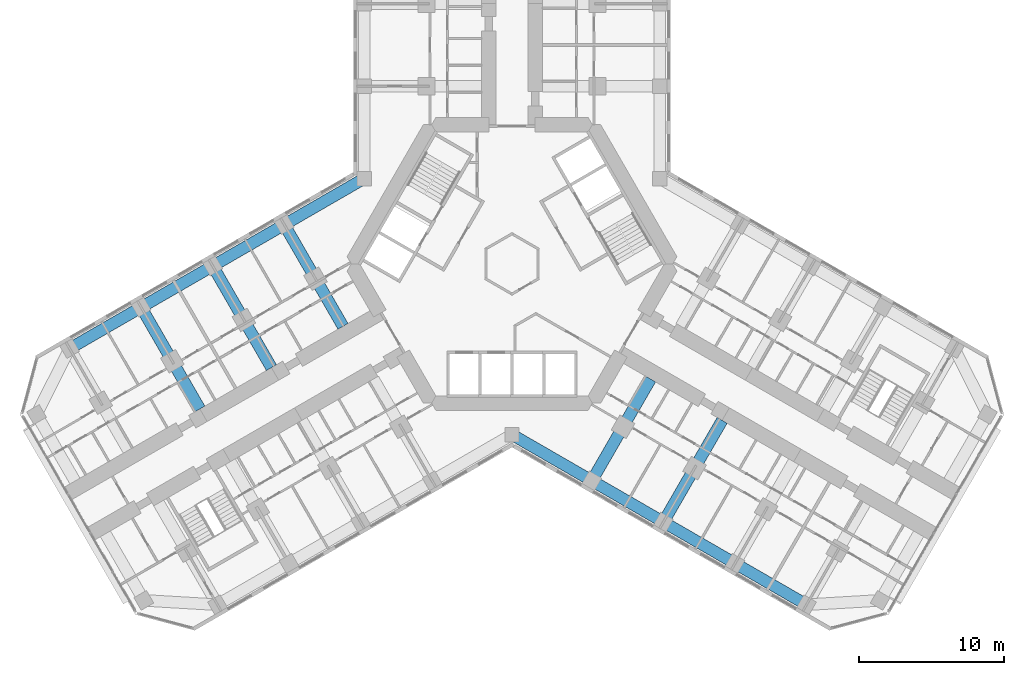
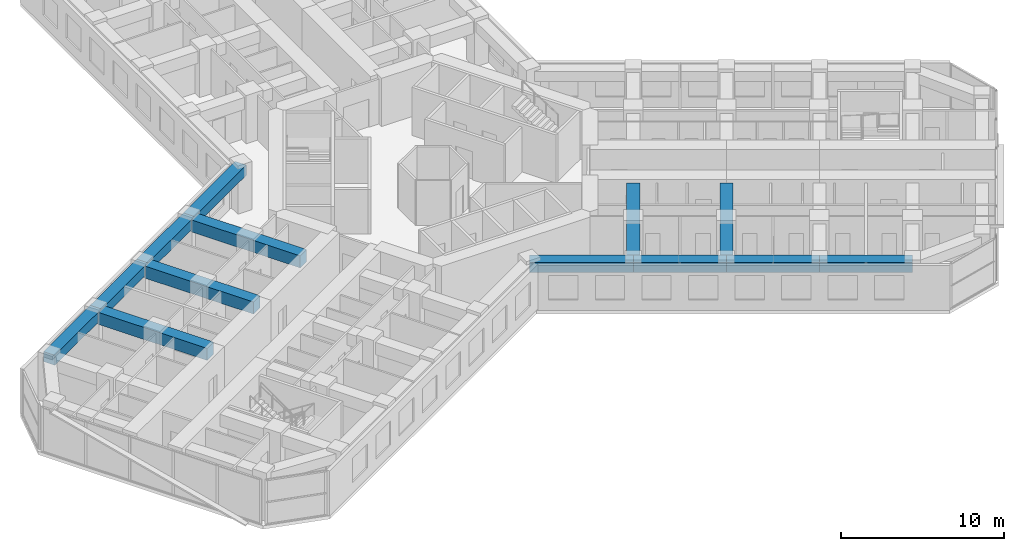
# One storey, part 4 of 21: 13 beams.
"""IFC4 building model written with IfcOpenShell, lengths in metres."""

from ifc_helpers import new_model, si_unit, direction, frame, origin, origin_2d, place, context, subcontext, project, spatial, rectangle, extrude, material, material_profile, profile_set, type_object, element, save


model = new_model("IFC4")

# Units and contexts
model_context = context("Model", 3, precision=1e-05, world=origin(), true_north=direction((0.0, 1.0)))
body_context = subcontext(model_context, "Body", "Model", "MODEL_VIEW")
ifc_project = project(units=[si_unit("LENGTHUNIT", "METRE"), si_unit("AREAUNIT", "SQUARE_METRE"), si_unit("VOLUMEUNIT", "CUBIC_METRE"), si_unit("PLANEANGLEUNIT", "RADIAN"), si_unit("MASSUNIT", "GRAM", prefix="KILO")], contexts=[model_context])

# Site, building, storey
site_placement = place(None, origin())
site = spatial("IfcSite", under=ifc_project, at=site_placement, CompositionType="ELEMENT")
building_placement = place(site_placement, origin())
building = spatial("IfcBuilding", under=site, at=building_placement, Name="Kosmar Iwan School Tower", CompositionType="ELEMENT")
storey_placement = place(building_placement, frame((0.0, 0.0, 64.60009765625)))
storey = spatial("IfcBuildingStorey", under=building, at=storey_placement, Name="L15", CompositionType="ELEMENT", Elevation=64.60009765625)

# Beams
ifc_material_1 = material(Name="Concrete C50/60", Category="concrete")
ifc_material_profile_1 = material_profile(ifc_material_1, rectangle(XDim=0.800048828125, YDim=0.75, at=origin_2d()), Name="RC 800x750")
ifc_profile_set_1 = profile_set([ifc_material_profile_1], Name="Concrete C50/60")
beam_type_1 = type_object("IfcBeamType", Name="RC edge beam 800x750", PredefinedType="BEAM", material=ifc_profile_set_1)
beam_1_placement = place(storey_placement, frame((-10.199951171875, 5.888916015625, 2.974853515625), z_axis=(-0.866030912664, -0.49999045822, 0.0), x_axis=(0.49999045822, -0.866030912664, 0.0)))
element("IfcBeam", 1, at=beam_1_placement, inside=storey, type_object=beam_type_1, Name="Edge beam BR1", PredefinedType="BEAM", context=body_context, shape_type="SweptSolid", body=[
    extrude(rectangle(XDim=0.800048828125, YDim=0.75, at=origin_2d()), origin(), (0.0, 0.0, 1.0), 6.36083984375),
])
beam_2_placement = place(storey_placement, frame((-15.708740234375, 2.70849609375, 2.974853515625), z_axis=(-0.866025820012, -0.499999279071, 0.0), x_axis=(0.499999279071, -0.866025820012, 0.0)))
element("IfcBeam", 2, at=beam_2_placement, inside=storey, type_object=beam_type_1, Name="Edge beam BR2", PredefinedType="BEAM", context=body_context, shape_type="SweptSolid", body=[
    extrude(rectangle(XDim=0.800048828125, YDim=0.75, at=origin_2d()), origin(), (0.0, 0.0, 1.0), 5.7001953125),
])
for number, where, z_axis, x_axis, name in (
    (3, (-20.645263671875, -0.1416015625, 2.974853515625), (-0.866033658841, -0.49998570155, 0.0), (0.49998570155, -0.866033658841, 0.0), "Edge beam BR3"),
    (4, (-25.58154296875, -2.991455078125, 2.974853515625), (-0.866015111908, -0.50001782563, 0.0), (0.50001782563, -0.866015111908, 0.0), "Edge beam BR4"),
):
    element("IfcBeam", number, at=place(storey_placement, frame(where, z_axis=z_axis, x_axis=x_axis)), inside=storey, type_object=beam_type_1, Name=name, PredefinedType="BEAM", context=body_context, shape_type="SweptSolid", body=[
        extrude(rectangle(XDim=0.800048828125, YDim=0.75, at=origin_2d()), origin(), (0.0, 0.0, 1.0), 5.699951171875),
    ])
beam_3_placement = place(storey_placement, frame((0.0, -11.77783203125, 2.974853515625), z_axis=(0.866014293216, -0.500019243575, 0.0), x_axis=(0.500019243575, 0.866014293216, 0.0)))
element("IfcBeam", 5, at=beam_3_placement, inside=storey, type_object=beam_type_1, Name="Edge beam CR1", PredefinedType="BEAM", context=body_context, shape_type="SweptSolid", body=[
    extrude(rectangle(XDim=0.800048828125, YDim=0.75, at=origin_2d()), origin(), (0.0, 0.0, 1.0), 6.361083984375),
])
beam_4_placement = place(storey_placement, frame((5.5087890625, -14.95849609375, 2.974853515625), z_axis=(0.866033658841, -0.49998570155, 0.0), x_axis=(0.49998570155, 0.866033658841, 0.0)))
element("IfcBeam", 6, at=beam_4_placement, inside=storey, type_object=beam_type_1, Name="Edge beam CR2", PredefinedType="BEAM", context=body_context, shape_type="SweptSolid", body=[
    extrude(rectangle(XDim=0.800048828125, YDim=0.75, at=origin_2d()), origin(), (0.0, 0.0, 1.0), 5.699951171875),
])
beam_5_placement = place(storey_placement, frame((10.445068359375, -17.808349609375, 2.974853515625), z_axis=(0.866025820012, -0.499999279071, 0.0), x_axis=(0.499999279071, 0.866025820012, 0.0)))
element("IfcBeam", 7, at=beam_5_placement, inside=storey, type_object=beam_type_1, Name="Edge beam CR3", PredefinedType="BEAM", context=body_context, shape_type="SweptSolid", body=[
    extrude(rectangle(XDim=0.800048828125, YDim=0.75, at=origin_2d()), origin(), (0.0, 0.0, 1.0), 5.7001953125),
])
beam_6_placement = place(storey_placement, frame((15.381591796875, -20.658447265625, 2.974853515625), z_axis=(0.866015111908, -0.50001782563, 0.0), x_axis=(0.50001782563, 0.866015111908, 0.0)))
element("IfcBeam", 8, at=beam_6_placement, inside=storey, type_object=beam_type_1, Name="Edge beam CR4", PredefinedType="BEAM", context=body_context, shape_type="SweptSolid", body=[
    extrude(rectangle(XDim=0.800048828125, YDim=0.75, at=origin_2d()), origin(), (0.0, 0.0, 1.0), 5.699951171875),
])
ifc_material_2 = material(Name="Concrete C50/60", Category="concrete")
ifc_material_profile_2 = material_profile(ifc_material_2, rectangle(XDim=0.800048828125, YDim=0.89990234375, at=origin_2d()), Name="RC 800x900")
ifc_profile_set_2 = profile_set([ifc_material_profile_2], Name="Concrete C50/60")
beam_type_2 = type_object("IfcBeamType", Name="RC transverse beam 800x900", PredefinedType="BEAM", material=ifc_profile_set_2)
beam_7_placement = place(storey_placement, frame((-15.708740234375, 2.70849609375, 2.89990234375), z_axis=(0.499999880539, -0.866025472755, 0.0), x_axis=(0.866025472755, 0.499999880539, 0.0)))
element("IfcBeam", 9, at=beam_7_placement, inside=storey, type_object=beam_type_2, Name="Transverse beam BR1", PredefinedType="BEAM", context=body_context, shape_type="SweptSolid", body=[
    extrude(rectangle(XDim=0.800048828125, YDim=0.89990234375, at=origin_2d()), origin(), (0.0, 0.0, 1.0), 8.10009765625),
])
beam_8_placement = place(storey_placement, frame((-20.645263671875, -0.1416015625, 2.89990234375), z_axis=(0.500012932018, -0.866017937352, 0.0), x_axis=(0.866017937352, 0.500012932018, 0.0)))
element("IfcBeam", 10, at=beam_8_placement, inside=storey, type_object=beam_type_2, Name="Transverse beam BR2", PredefinedType="BEAM", context=body_context, shape_type="SweptSolid", body=[
    extrude(rectangle(XDim=0.800048828125, YDim=0.89990234375, at=origin_2d()), origin(), (0.0, 0.0, 1.0), 8.099853515625),
])
for number, where, z_axis, x_axis, name in (
    (11, (-25.58154296875, -2.991455078125, 2.89990234375), (0.499999880539, -0.866025472755, 0.0), (0.866025472755, 0.499999880539, 0.0), "Transverse beam BR3"),
    (12, (5.5087890625, -14.95849609375, 2.89990234375), (0.499999880539, 0.866025472755, 0.0), (-0.866025472755, 0.499999880539, 0.0), "Transverse beam CR1"),
):
    element("IfcBeam", number, at=place(storey_placement, frame(where, z_axis=z_axis, x_axis=x_axis)), inside=storey, type_object=beam_type_2, Name=name, PredefinedType="BEAM", context=body_context, shape_type="SweptSolid", body=[
        extrude(rectangle(XDim=0.800048828125, YDim=0.89990234375, at=origin_2d()), origin(), (0.0, 0.0, 1.0), 8.10009765625),
    ])
beam_9_placement = place(storey_placement, frame((10.445068359375, -17.808349609375, 2.89990234375), z_axis=(0.500012932018, 0.866017937352, 0.0), x_axis=(-0.866017937352, 0.500012932018, 0.0)))
element("IfcBeam", 13, at=beam_9_placement, inside=storey, type_object=beam_type_2, Name="Transverse beam CR2", PredefinedType="BEAM", context=body_context, shape_type="SweptSolid", body=[
    extrude(rectangle(XDim=0.800048828125, YDim=0.89990234375, at=origin_2d()), origin(), (0.0, 0.0, 1.0), 8.099853515625),
])

save(model, "model.ifc")
